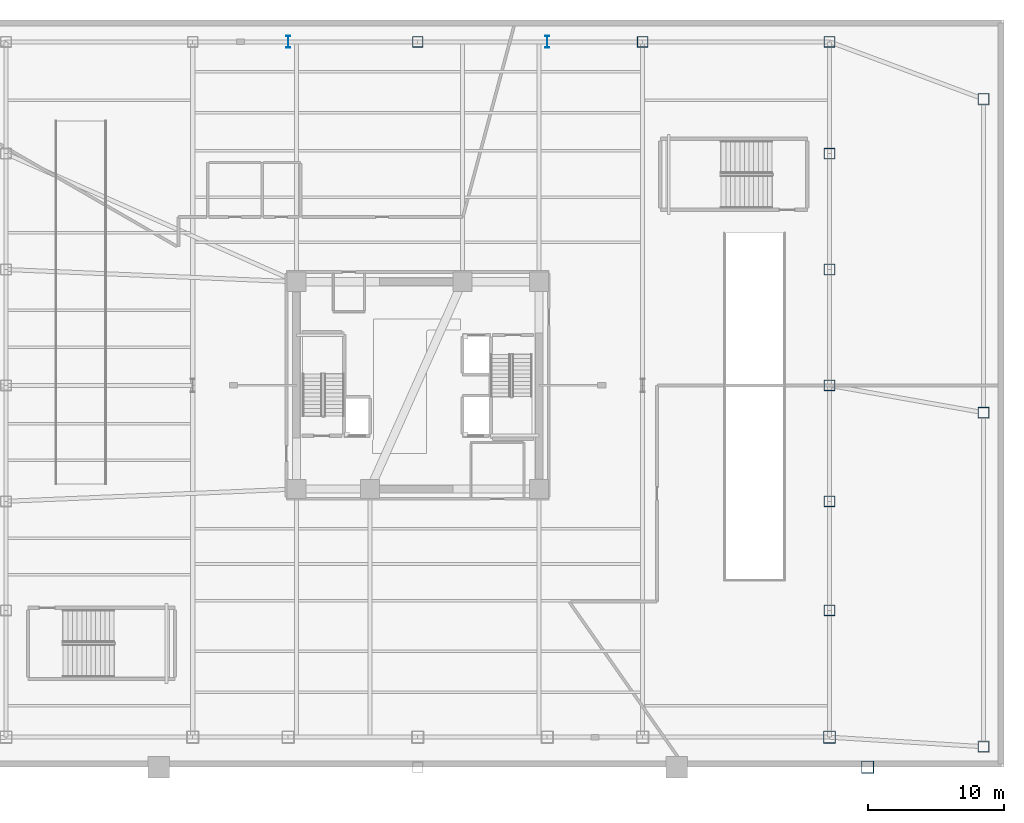
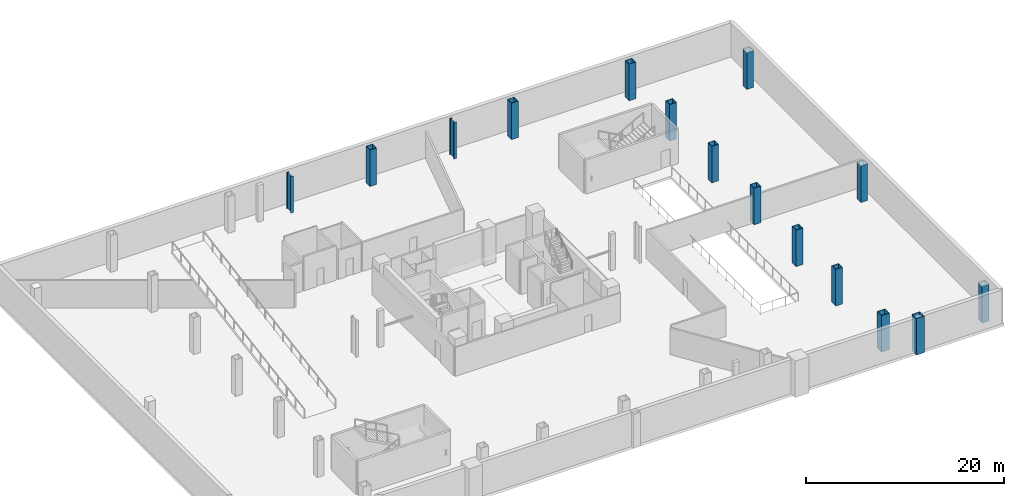
# One storey, part 2 of 14: 15 columns.
"""IFC4 building model written with IfcOpenShell, lengths in metres."""

from ifc_helpers import new_model, si_unit, direction, frame, origin, origin_2d, place, context, subcontext, project, spatial, hollow_rectangle, i_section, extrude, material, material_profile, profile_set, type_object, element, save


model = new_model("IFC4")

# Units and contexts
model_context = context("Model", 3, precision=1e-05, world=origin(), true_north=direction((0.0, 1.0)))
body_context = subcontext(model_context, "Body", "Model", "MODEL_VIEW")
ifc_project = project(units=[si_unit("LENGTHUNIT", "METRE"), si_unit("AREAUNIT", "SQUARE_METRE"), si_unit("VOLUMEUNIT", "CUBIC_METRE"), si_unit("PLANEANGLEUNIT", "RADIAN"), si_unit("MASSUNIT", "GRAM", prefix="KILO")], contexts=[model_context])

# Site, building, storey
site_placement = place(None, origin())
site = spatial("IfcSite", under=ifc_project, at=site_placement, CompositionType="ELEMENT")
building_placement = place(site_placement, origin())
building = spatial("IfcBuilding", under=site, at=building_placement, Name="Tharavind Bronze Gate", CompositionType="ELEMENT")
storey_placement = place(building_placement, frame((0.0, 0.0, -4.5)))
storey = spatial("IfcBuildingStorey", under=building, at=storey_placement, Name="B01", CompositionType="ELEMENT", Elevation=-4.5)

# Columns
ifc_material = material(Name="Steel S460", Category="steel")
ifc_material_profile_1 = material_profile(ifc_material, hollow_rectangle(XDim=0.800048828125, YDim=0.800048828125, WallThickness=0.044921875, at=origin_2d()), Name="SHS800X45")
ifc_profile_set_1 = profile_set([ifc_material_profile_1], Name="Steel S460")
column_type_1 = type_object("IfcColumnType", Name="PERIMETER BOX COLUMN SHS800", PredefinedType="COLUMN", material=ifc_profile_set_1)
for number, where, z_axis, x_axis, name in (
    (1, (0.0, 25.199951171875, 0.0), (0.0, 0.0, 1.0), (1.0, 0.0, 0.0), "B01 podium column PN40"),
    (2, (16.5, 25.199951171875, 0.0), (0.0, 0.0, 1.0), (1.0, 0.0, 0.0), "B01 podium column PN56"),
    (3, (30.199951171875, 25.199951171875, 0.0), (0.0, 0.0, 1.0), (1.0, 0.0, 0.0), "B01 podium column PN70"),
    (4, (30.199951171875, -16.5, 0.0), (0.0, 0.0, 1.0), (1.0, 0.0, 0.0), "B01 podium column PE14"),
    (5, (30.199951171875, -8.5, 0.0), (0.0, 0.0, 1.0), (1.0, 0.0, 0.0), "B01 podium column PE22"),
    (6, (30.199951171875, 0.0, 0.0), (0.0, 0.0, 1.0), (1.0, 0.0, 0.0), "B01 podium column PE30"),
    (7, (30.199951171875, 8.5, 0.0), (0.0, 0.0, 1.0), (1.0, 0.0, 0.0), "B01 podium column PE38"),
    (8, (30.199951171875, 17.0, 0.0), (0.0, 0.0, 1.0), (1.0, 0.0, 0.0), "B01 podium column PE47"),
    (9, (41.5, -26.5, 0.0), (0.0, 0.0, 1.0), (1.0, 0.0, 0.0), "B01 podium column BSX91Y8"),
    (10, (41.5, -2.0, 0.0), (0.0, 0.0, 1.0), (1.0, 0.0, 0.0), "B01 podium column BSX91Y33"),
    (11, (41.5, 21.0, 0.0), (0.0, 0.0, 1.0), (1.0, 0.0, 0.0), "B01 podium column BSX91Y56"),
):
    element("IfcColumn", number, at=place(storey_placement, frame(where, z_axis=z_axis, x_axis=x_axis)), inside=storey, type_object=column_type_1, Name=name, PredefinedType="COLUMN", context=body_context, shape_type="SweptSolid", body=[
        extrude(hollow_rectangle(XDim=0.800048828125, YDim=0.800048828125, WallThickness=0.044921875, at=origin_2d()), origin(), (0.0, 0.0, 1.0), 4.5),
    ])
ifc_material_profile_2 = material_profile(ifc_material, hollow_rectangle(XDim=0.89990234375, YDim=0.89990234375, WallThickness=0.050048828125, at=origin_2d()), Name="SHS900X50")
ifc_profile_set_2 = profile_set([ifc_material_profile_2], Name="Steel S460")
column_type_2 = type_object("IfcColumnType", Name="PERIMETER BOX COLUMN SHS900", PredefinedType="COLUMN", material=ifc_profile_set_2)
for number, where, z_axis, x_axis, name in (
    (12, (30.199951171875, -25.800048828125, 0.0), (0.0, 0.0, 1.0), (1.0, 0.0, 0.0), "B01 podium column PS70"),
    (13, (33.0, -28.0, 0.0), (0.0, 0.0, 1.0), (1.0, 0.0, 0.0), "B01 podium column CRNS4"),
):
    element("IfcColumn", number, at=place(storey_placement, frame(where, z_axis=z_axis, x_axis=x_axis)), inside=storey, type_object=column_type_2, Name=name, PredefinedType="COLUMN", context=body_context, shape_type="SweptSolid", body=[
        extrude(hollow_rectangle(XDim=0.89990234375, YDim=0.89990234375, WallThickness=0.050048828125, at=origin_2d()), origin(), (0.0, 0.0, 1.0), 4.5),
    ])
ifc_material_profile_3 = material_profile(ifc_material, i_section(OverallWidth=0.300048828125, OverallDepth=0.89990234375, WebThickness=0.0185546875, FlangeThickness=0.034912109375, at=origin_2d()), Name="HE900B")
ifc_profile_set_3 = profile_set([ifc_material_profile_3], Name="Steel S460")
column_type_3 = type_object("IfcColumnType", Name="PODIUM HALL COLUMN HE900B", PredefinedType="COLUMN", material=ifc_profile_set_3)
for number, where, z_axis, x_axis, name in (
    (14, (-9.5, 25.199951171875, 0.0), (0.0, 0.0, 1.0), (1.0, 0.0, 0.0), "B01 podium column PN30"),
    (15, (9.5, 25.199951171875, 0.0), (0.0, 0.0, 1.0), (1.0, 0.0, 0.0), "B01 podium column PN50"),
):
    element("IfcColumn", number, at=place(storey_placement, frame(where, z_axis=z_axis, x_axis=x_axis)), inside=storey, type_object=column_type_3, Name=name, PredefinedType="COLUMN", context=body_context, shape_type="SweptSolid", body=[
        extrude(i_section(OverallWidth=0.300048828125, OverallDepth=0.89990234375, WebThickness=0.0185546875, FlangeThickness=0.034912109375, at=origin_2d()), origin(), (0.0, 0.0, 1.0), 4.5),
    ])

save(model, "model.ifc")
